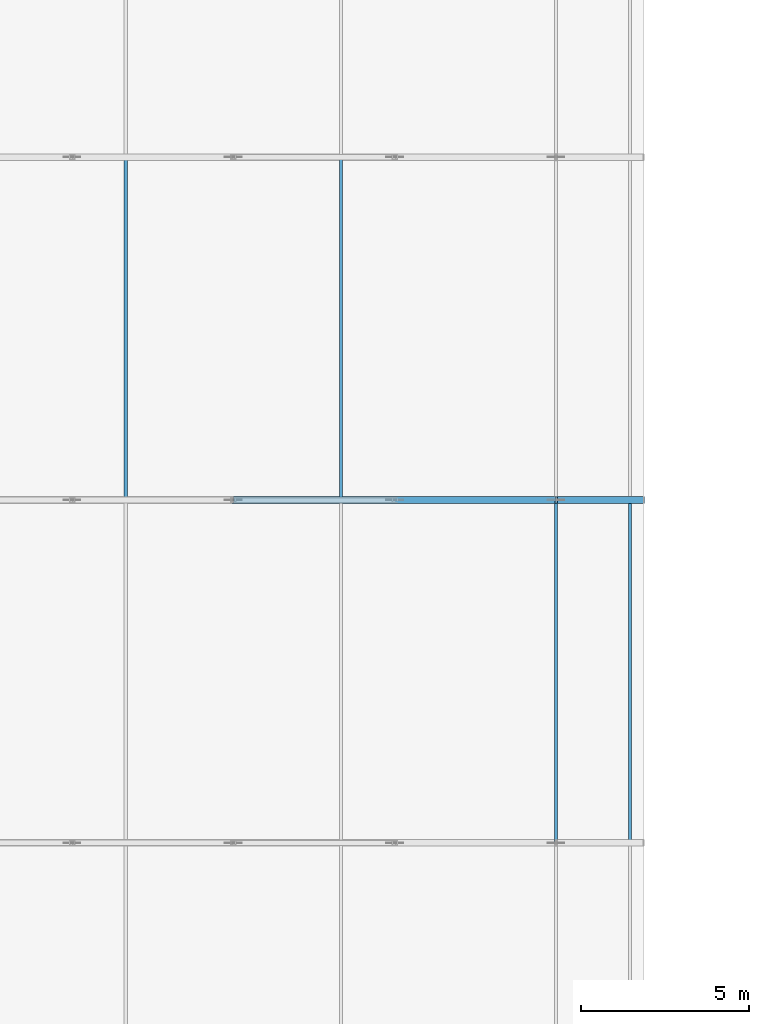
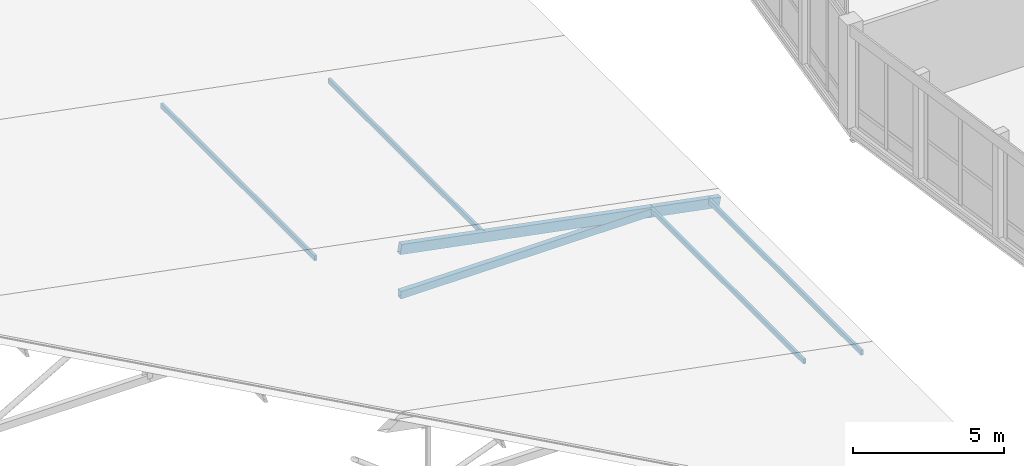
# One storey, part 55 of 200: 7 members.
"""IFC4 building model written with IfcOpenShell, lengths in metres."""

from ifc_helpers import new_model, si_unit, direction, frame, origin, origin_2d, place, context, subcontext, project, spatial, hollow_rectangle, extrude, material, material_profile, profile_set, type_object, element, save


model = new_model("IFC4")

# Units and contexts
model_context = context("Model", 3, precision=1e-05, world=origin(), true_north=direction((0.0, 1.0)))
body_context = subcontext(model_context, "Body", "Model", "MODEL_VIEW")
ifc_project = project(units=[si_unit("LENGTHUNIT", "METRE"), si_unit("AREAUNIT", "SQUARE_METRE"), si_unit("VOLUMEUNIT", "CUBIC_METRE"), si_unit("PLANEANGLEUNIT", "RADIAN"), si_unit("MASSUNIT", "GRAM", prefix="KILO")], contexts=[model_context])

# Site, building, storey
site_placement = place(None, origin())
site = spatial("IfcSite", under=ifc_project, at=site_placement, CompositionType="ELEMENT")
building_placement = place(site_placement, origin())
building = spatial("IfcBuilding", under=site, at=building_placement, Name="Vondelvale Polytechnic", CompositionType="ELEMENT")
storey_placement = place(building_placement, frame((0.0, 0.0, 13.800048828125)))
storey = spatial("IfcBuildingStorey", under=building, at=storey_placement, Name="L03", CompositionType="ELEMENT", Elevation=13.800048828125)

# Members
ifc_material = material(Name="Steel C350L0 (fy = 350 MPa)", Category="steel")
ifc_material_profile_1 = material_profile(ifc_material, hollow_rectangle(XDim=0.10009765625, YDim=0.199951171875, WallThickness=0.006103515625, at=origin_2d()), Name="200x100x6.0RHS")
ifc_profile_set_1 = profile_set([ifc_material_profile_1], Name="Steel C350L0 (fy = 350 MPa)")
member_type_1 = type_object("IfcMemberType", Name="PURLIN RHS200", PredefinedType="PURLIN", material=ifc_profile_set_1)
for number, where, z_axis, x_axis, name in (
    (1, (48.0, 61.199951171875, -0.31884765625), (0.0, 1.0, 0.0), (-1.0, 0.0, 0.0), "Workshop roof purlin bay 2"),
    (2, (50.199951171875, 61.199951171875, -0.74267578125), (0.0, 1.0, 0.0), (-1.0, 0.0, 0.0), "Workshop roof purlin bay 2"),
):
    element("IfcMember", number, at=place(storey_placement, frame(where, z_axis=z_axis, x_axis=x_axis)), inside=storey, type_object=member_type_1, Name=name, PredefinedType="PURLIN", context=body_context, shape_type="SweptSolid", body=[
        extrude(hollow_rectangle(XDim=0.10009765625, YDim=0.199951171875, WallThickness=0.006103515625, at=origin_2d()), origin(), (0.0, 0.0, 1.0), 10.199951171875),
    ])
for number, where, z_axis, x_axis, name in (
    (3, (35.199951171875, 71.39990234375, 2.14794921875), (0.0, 1.0, 0.0), (-1.0, 0.0, 0.0), "Workshop roof purlin bay 3"),
    (4, (41.60009765625, 71.39990234375, 0.91455078125), (0.0, 1.0, 0.0), (-1.0, 0.0, 0.0), "Workshop roof purlin bay 3"),
):
    element("IfcMember", number, at=place(storey_placement, frame(where, z_axis=z_axis, x_axis=x_axis)), inside=storey, type_object=member_type_1, Name=name, PredefinedType="PURLIN", context=body_context, shape_type="SweptSolid", body=[
        extrude(hollow_rectangle(XDim=0.10009765625, YDim=0.199951171875, WallThickness=0.006103515625, at=origin_2d()), origin(), (0.0, 0.0, 1.0), 10.2001953125),
    ])
ifc_material_profile_2 = material_profile(ifc_material, hollow_rectangle(XDim=0.199951171875, YDim=0.300048828125, WallThickness=0.008056640625, at=origin_2d()), Name="300x200x8.0RHS")
ifc_profile_set_2 = profile_set([ifc_material_profile_2], Name="Steel C350L0 (fy = 350 MPa)")
member_type_2 = type_object("IfcMemberType", Name="ROOF TRUSS BOT CHORD 300RHS", PredefinedType="CHORD", material=ifc_profile_set_2)
member_1_placement = place(storey_placement, frame((38.39990234375, 71.39990234375, -0.420166015625), z_axis=(1.0, 0.0, 0.0), x_axis=(0.0, 1.0, 0.0)))
element("IfcMember", 5, at=member_1_placement, inside=storey, type_object=member_type_2, Name="ROOF TRUSS TR-03 bottom chord 3", PredefinedType="CHORD", context=body_context, shape_type="SweptSolid", body=[
    extrude(hollow_rectangle(XDim=0.199951171875, YDim=0.300048828125, WallThickness=0.008056640625, at=origin_2d()), origin(), (0.0, 0.0, 1.0), 9.60009765625),
])
ifc_material_profile_3 = material_profile(ifc_material, hollow_rectangle(XDim=0.199951171875, YDim=0.39990234375, WallThickness=0.010009765625, at=origin_2d()), Name="400x200x10.0RHS")
ifc_profile_set_3 = profile_set([ifc_material_profile_3], Name="Steel C350L0 (fy = 350 MPa)")
member_type_3 = type_object("IfcMemberType", Name="ROOF TRUSS TOP CHORD 400RHS", PredefinedType="CHORD", material=ifc_profile_set_3)
member_2_placement = place(storey_placement, frame((38.39990234375, 71.39990234375, 1.429931640625), z_axis=(0.981931919064, 0.0, -0.189234527304), x_axis=(0.0, 1.0, 0.0)))
element("IfcMember", 6, at=member_2_placement, inside=storey, type_object=member_type_3, Name="ROOF TRUSS TR-03 top chord 5", PredefinedType="CHORD", context=body_context, shape_type="SweptSolid", body=[
    extrude(hollow_rectangle(XDim=0.199951171875, YDim=0.39990234375, WallThickness=0.010009765625, at=origin_2d()), origin(), (0.0, 0.0, 1.0), 9.77685546875),
])
member_3_placement = place(storey_placement, frame((48.0, 71.39990234375, -0.420166015625), z_axis=(0.981939305936, 0.0, -0.189196193031), x_axis=(0.0, 1.0, 0.0)))
element("IfcMember", 7, at=member_3_placement, inside=storey, type_object=member_type_3, Name="ROOF TRUSS TR-03 top chord 6", PredefinedType="CHORD", context=body_context, shape_type="SweptSolid", body=[
    extrude(hollow_rectangle(XDim=0.199951171875, YDim=0.39990234375, WallThickness=0.010009765625, at=origin_2d()), origin(), (0.0, 0.0, 1.0), 2.64794921875),
])

save(model, "model.ifc")
